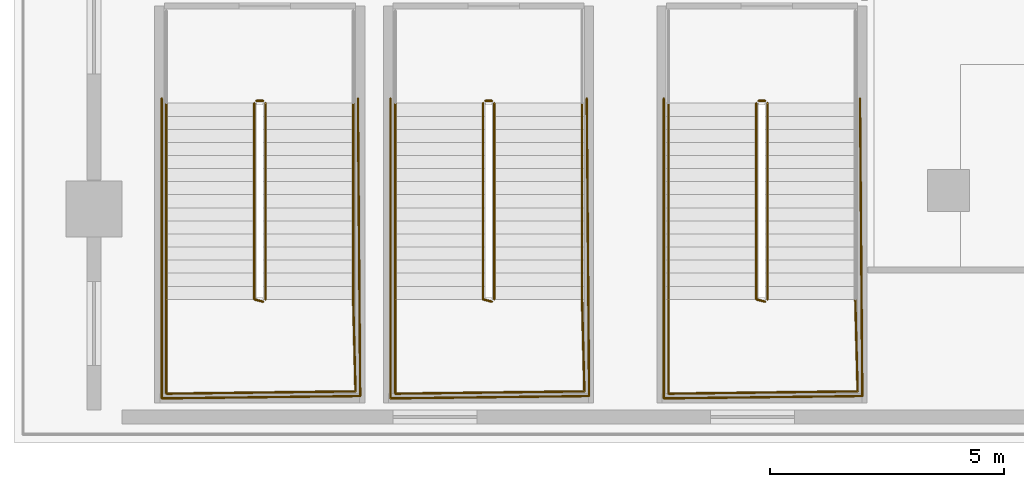
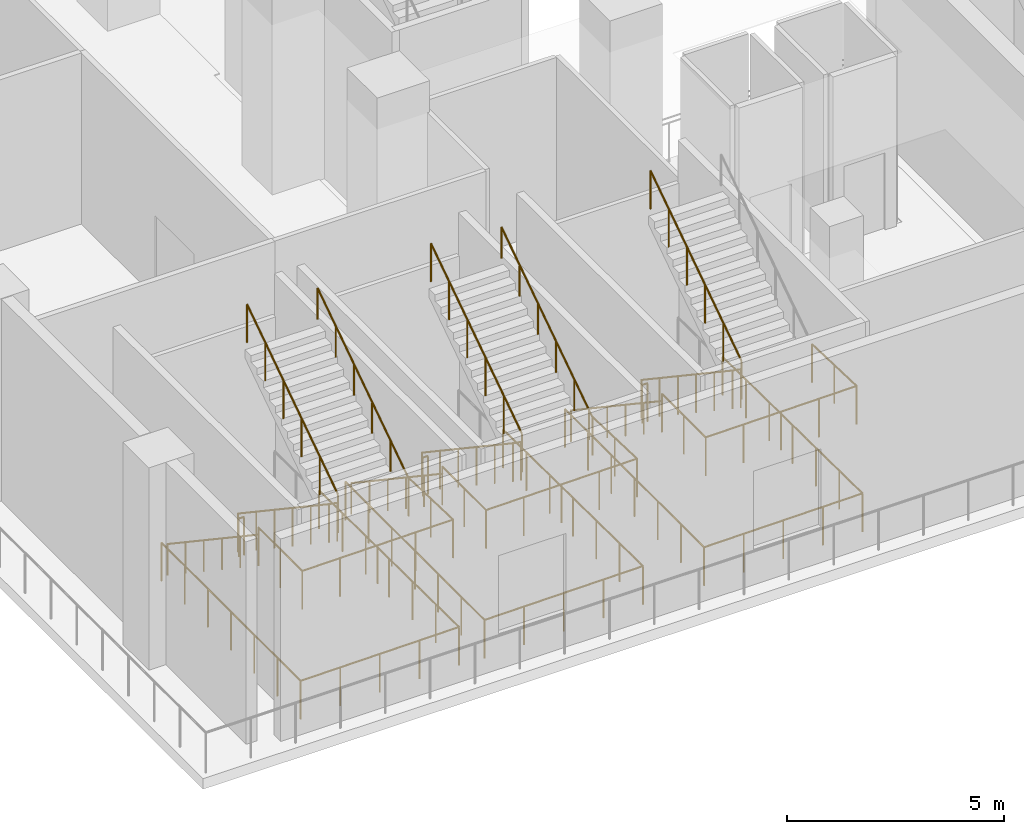
# One storey, part 14 of 30: 20 railings.
"""IFC4 building model written with IfcOpenShell, lengths in metres."""

import ifcopenshell
import ifcopenshell.guid

model = None  # the IFC model being written
_history = None  # IfcOwnerHistory: only IFC2X3 demands one
_inside = {}  # id of a spatial element -> (the spatial element, [elements in it])
_under = {}  # id of a project, library or spatial element -> (it, [spatial elements below it])
_declared = {}  # id of a project -> (the project, [libraries it declares])
_typed = {}  # id of a type object -> (the type object, [elements of that type])
_made_of = {}  # id of a material, layer set ... -> (it, [elements and type objects made of it])


def new_model(schema):
    """Start an empty IFC model of exactly this schema.

    Asked for "IFC4X3", IfcOpenShell would pick the latest addendum, in which some entities
    have other attributes; the version numbers below select the first issue.
    IFC2X3 requires an IfcOwnerHistory on every rooted entity: one is made here for all.
    """
    global model, _history
    if schema == "IFC4X3":
        model = ifcopenshell.file(schema_version=(4, 3, 0, 0))
    else:
        model = ifcopenshell.file(schema=schema)
    _inside.clear()
    _under.clear()
    _declared.clear()
    _typed.clear()
    _made_of.clear()
    _history = None
    if model.schema == "IFC2X3":
        org = make("IfcOrganization", Name="unknown")
        user = make(
            "IfcPersonAndOrganization",
            ThePerson=make("IfcPerson", FamilyName="unknown"),
            TheOrganization=org,
        )
        app = make(
            "IfcApplication",
            ApplicationDeveloper=org,
            Version="unknown",
            ApplicationFullName="unknown",
            ApplicationIdentifier="unknown",
        )
        _history = make(
            "IfcOwnerHistory",
            OwningUser=user,
            OwningApplication=app,
            ChangeAction="ADDED",
            CreationDate=0,
        )
    return model


def make(cls, **values):
    """One entity of the class cls with the attributes given. An attribute that is None is left unset."""
    return model.create_entity(
        cls, **{name: value for name, value in values.items() if value is not None}
    )


def rooted(cls, **values):
    """An entity with a GlobalId (a new one), such as an element, a storey or a relation."""
    return make(cls, GlobalId=ifcopenshell.guid.new(), OwnerHistory=_history, **values)


def si_unit(unit_type, name, prefix=None):
    """IfcSIUnit, for example si_unit("LENGTHUNIT", "METRE", prefix="MILLI")."""
    return make("IfcSIUnit", UnitType=unit_type, Prefix=prefix, Name=name)


def assignment(units):
    """IfcUnitAssignment: the units of a project."""
    return None if units is None else make("IfcUnitAssignment", Units=units)


def point(xyz):
    """IfcCartesianPoint."""
    return None if xyz is None else make("IfcCartesianPoint", Coordinates=xyz)


def direction(xyz):
    """IfcDirection."""
    return None if xyz is None else make("IfcDirection", DirectionRatios=xyz)


def frame(location, z_axis=None, x_axis=None):
    """IfcAxis2Placement3D, a coordinate frame: its origin and axes. An axis left out is left unset."""
    return make(
        "IfcAxis2Placement3D",
        Location=point(location),
        Axis=direction(z_axis),
        RefDirection=direction(x_axis),
    )


def frame_2d(location, x_axis=None):
    """IfcAxis2Placement2D, a coordinate frame in the plane: its origin and x axis."""
    return make(
        "IfcAxis2Placement2D", Location=point(location), RefDirection=direction(x_axis)
    )


def origin():
    """The frame at (0, 0, 0) with its axes left unset."""
    return frame((0.0, 0.0, 0.0))


def origin_2d():
    """The frame at (0, 0) in the plane with its x axis left unset."""
    return frame_2d((0.0, 0.0))


def place(relative_to, where):
    """IfcLocalPlacement: puts the frame where relative to a parent placement (None: the world)."""
    return make(
        "IfcLocalPlacement", PlacementRelTo=relative_to, RelativePlacement=where
    )


def context(
    kind, dimensions, precision=None, world=None, true_north=None, identifier=None
):
    """IfcGeometricRepresentationContext, for example the 3D "Model" context."""
    return make(
        "IfcGeometricRepresentationContext",
        ContextIdentifier=identifier,
        ContextType=kind,
        CoordinateSpaceDimension=dimensions,
        Precision=precision,
        WorldCoordinateSystem=world,
        TrueNorth=true_north,
    )


def subcontext(parent, identifier, kind, view, scale=None):
    """IfcGeometricRepresentationSubContext, for example "Body" below "Model"."""
    return make(
        "IfcGeometricRepresentationSubContext",
        ContextIdentifier=identifier,
        ContextType=kind,
        ParentContext=parent,
        TargetScale=scale,
        TargetView=view,
    )


def project(units=None, contexts=None):
    """IfcProject with its units and contexts."""
    return rooted(
        "IfcProject",
        Name="project",
        RepresentationContexts=contexts,
        UnitsInContext=assignment(units),
    )


def spatial(cls, under=None, at=None, **own):
    """A site, building, storey or space (cls), placed at a placement, below another one or the project."""
    s = rooted(cls, ObjectPlacement=at, **own)
    if under is not None:
        _under.setdefault(under.id(), (under, []))[1].append(s)
    return s


def profile(cls, at=None, kind="AREA", **sizes):
    """A parametric profile (cls). Its sizes go by their IFC names, for example OverallWidth=200.0."""
    return make(cls, ProfileType=kind, Position=at, **sizes)


def circle(**sizes):
    """IfcCircleProfileDef."""
    return profile("IfcCircleProfileDef", **sizes)


def extrude(swept, where, along, depth):
    """IfcExtrudedAreaSolid: the profile swept, set in the frame where, extruded along a direction by depth."""
    return make(
        "IfcExtrudedAreaSolid",
        SweptArea=swept,
        Position=where,
        ExtrudedDirection=direction(along),
        Depth=depth,
    )


def shape(context_of_items, identifier, shape_type, items):
    """IfcShapeRepresentation: the items that make up one representation, for example the "Body"."""
    return make(
        "IfcShapeRepresentation",
        ContextOfItems=context_of_items,
        RepresentationIdentifier=identifier,
        RepresentationType=shape_type,
        Items=items,
    )


def material(Name=None, Category=None):
    """IfcMaterial."""
    return make("IfcMaterial", Name=Name, Category=Category)


def layer(
    of_material, thickness, ventilated=None, Name=None, Category=None, Priority=None
):
    """IfcMaterialLayer: one layer of a wall or slab, of a material (None: an air gap)."""
    return make(
        "IfcMaterialLayer",
        Material=of_material,
        LayerThickness=thickness,
        IsVentilated=ventilated,
        Name=Name,
        Category=Category,
        Priority=Priority,
    )


def layer_set(layers, Name=None):
    """IfcMaterialLayerSet."""
    return make("IfcMaterialLayerSet", MaterialLayers=layers, LayerSetName=Name)


def made_of(thing, what):
    """Note that an element or type object is made of a material, layer set ...; save() writes the relation."""
    if what is not None:
        _made_of.setdefault(what.id(), (what, []))[1].append(thing)
    return thing


def type_object(cls, material=None, **own):
    """A type object (cls), such as IfcWallType, which elements share."""
    return made_of(rooted(cls, **own), material)


def element(
    cls,
    number,
    at=None,
    inside=None,
    cuts=None,
    type_object=None,
    material=None,
    context=None,
    identifier="Body",
    shape_type=None,
    held_by="IfcProductDefinitionShape",
    body=None,
    shapes=None,
    **own,
):
    """One element of the class cls, such as IfcWall. Its Tag is "e" and its number.

    at: its placement. inside: the storey or other place that contains it. cuts: it is an
    opening in that element (IfcRelVoidsElement). A single representation is given by context,
    identifier, shape_type and body (its items); several are given by shapes. held_by: the class
    of the entity that holds the representations. save() writes the other relations.
    """
    e = rooted(cls, Tag="e%d" % number, ObjectPlacement=at, **own)
    if body is not None:
        shapes = [shape(context, identifier, shape_type, body)]
    if shapes is not None:
        e.Representation = make(held_by, Representations=shapes)
    if inside is not None:
        _inside.setdefault(inside.id(), (inside, []))[1].append(e)
    if cuts is not None:
        rooted(
            "IfcRelVoidsElement", RelatingBuildingElement=cuts, RelatedOpeningElement=e
        )
    if type_object is not None:
        _typed.setdefault(type_object.id(), (type_object, []))[1].append(e)
    return made_of(e, material)


def aggregate(whole, parts):
    """IfcRelAggregates: a whole, such as a stair, and the parts it consists of."""
    return rooted("IfcRelAggregates", RelatingObject=whole, RelatedObjects=parts)


def save(model, path):
    """Write the relations noted so far, then the file.

    IfcRelAggregates (storeys below a building ...), IfcRelContainedInSpatialStructure (elements
    in a storey), IfcRelDefinesByType, IfcRelAssociatesMaterial and IfcRelDeclares: one each for
    every whole, place, type object, material and project.
    """
    for whole, parts in _under.values():
        aggregate(whole, parts)
    for where, things in _inside.values():
        rooted(
            "IfcRelContainedInSpatialStructure",
            RelatedElements=things,
            RelatingStructure=where,
        )
    for kind, things in _typed.values():
        rooted("IfcRelDefinesByType", RelatedObjects=things, RelatingType=kind)
    for what, things in _made_of.values():
        rooted("IfcRelAssociatesMaterial", RelatedObjects=things, RelatingMaterial=what)
    for by, libraries in _declared.values():
        rooted("IfcRelDeclares", RelatingContext=by, RelatedDefinitions=libraries)
    model.write(path)


model = new_model("IFC4")

# Units and contexts
model_context = context("Model", 3, precision=1e-05, world=origin(), true_north=direction((0.0, 1.0)))
body_context = subcontext(model_context, "Body", "Model", "MODEL_VIEW")
ifc_project = project(units=[si_unit("LENGTHUNIT", "METRE"), si_unit("AREAUNIT", "SQUARE_METRE"), si_unit("VOLUMEUNIT", "CUBIC_METRE"), si_unit("PLANEANGLEUNIT", "RADIAN"), si_unit("MASSUNIT", "GRAM", prefix="KILO")], contexts=[model_context])

# Site, building, storey
site_placement = place(None, origin())
site = spatial("IfcSite", under=ifc_project, at=site_placement, CompositionType="ELEMENT")
building_placement = place(site_placement, origin())
building = spatial("IfcBuilding", under=site, at=building_placement, Name="Ndaravel Arena Tower", CompositionType="ELEMENT")
storey_placement = place(building_placement, frame((0.0, 0.0, 6.0)))
storey = spatial("IfcBuildingStorey", under=building, at=storey_placement, Name="L01", CompositionType="ELEMENT", Elevation=6.0)

# Railings
ifc_material_1 = material(Name="Steel S355", Category="steel")
ifc_layer_1 = layer(ifc_material_1, 0.06005859375)
ifc_layer_set_1 = layer_set([ifc_layer_1], Name="Steel S355")
railing_type_1 = type_object("IfcRailingType", Name="RAIL-STAIR-GD1100", PredefinedType="GUARDRAIL", material=ifc_layer_set_1)
railing_1_placement = place(storey_placement, frame((5.1298828125, 7.27001953125, 0.1875)))
element("IfcRailing", 1, at=railing_1_placement, inside=storey, type_object=railing_type_1, Name="L01 ST-A01 stair guard 1", PredefinedType="GUARDRAIL", context=body_context, shape_type="SweptSolid", body=[
    extrude(circle(Radius=0.02392578125, at=origin_2d()), frame((0.0, 0.0, 1.076171875), z_axis=(0.0, -0.830904186295, 0.556415522067), x_axis=(1.0, 0.0, 0.0)), (0.0, 0.0, 1.0), 5.0546875),
    extrude(circle(Radius=0.02392578125, at=origin_2d()), frame((0.0, -4.199951171875, 3.888671875), z_axis=(0.967074537263, -0.25449329928, 0.0), x_axis=(0.25449329928, 0.967074537263, 0.0)), (0.0, 0.0, 1.0), 0.19677734375),
    extrude(circle(Radius=0.02099609375, at=origin_2d()), origin(), (0.0, 0.0, 1.0), 1.052001953125),
    extrude(circle(Radius=0.02099609375, at=origin_2d()), frame((0.0, -0.840087890625, 0.5625)), (0.0, 0.0, 1.0), 1.052001953125),
    extrude(circle(Radius=0.02099609375, at=origin_2d()), frame((0.0, -1.679931640625, 1.125)), (0.0, 0.0, 1.0), 1.052001953125),
    extrude(circle(Radius=0.02099609375, at=origin_2d()), frame((0.0, -2.52001953125, 1.6875)), (0.0, 0.0, 1.0), 1.052001953125),
    extrude(circle(Radius=0.02099609375, at=origin_2d()), frame((0.0, -3.35986328125, 2.25)), (0.0, 0.0, 1.0), 1.052001953125),
    extrude(circle(Radius=0.02099609375, at=origin_2d()), frame((0.0, -4.199951171875, 2.8125)), (0.0, 0.0, 1.0), 1.052001953125),
    extrude(circle(Radius=0.02099609375, at=origin_2d()), frame((0.190185546875, -4.25, 2.8125)), (0.0, 0.0, 1.0), 1.052001953125),
])
railing_2_placement = place(storey_placement, frame((3.25, 3.070068359375, 3.0)))
element("IfcRailing", 2, at=railing_2_placement, inside=storey, type_object=railing_type_1, Name="L01 ST-A01 stair guard 2", PredefinedType="GUARDRAIL", context=body_context, shape_type="SweptSolid", body=[
    extrude(circle(Radius=0.02392578125, at=origin_2d()), frame((0.0, 0.0, 1.076171875), z_axis=(0.0, -1.0, 0.0), x_axis=(1.0, 0.0, 0.0)), (0.0, 0.0, 1.0), 2.02001953125),
    extrude(circle(Radius=0.02392578125, at=origin_2d()), frame((0.0, -2.02001953125, 1.076171875), z_axis=(0.999923653774, 0.012356642897, 0.0), x_axis=(-0.012356642897, 0.999923653774, 0.0)), (0.0, 0.0, 1.0), 4.05029296875),
    extrude(circle(Radius=0.02392578125, at=origin_2d()), frame((4.050048828125, -1.969970703125, 1.076171875), z_axis=(-0.025397679083, 0.999677426922, 0.0), x_axis=(-0.999677426922, -0.025397679083, 0.0)), (0.0, 0.0, 1.0), 1.970703125),
    extrude(circle(Radius=0.02099609375, at=origin_2d()), origin(), (0.0, 0.0, 1.0), 1.052001953125),
    extrude(circle(Radius=0.02099609375, at=origin_2d()), frame((0.0, -1.010009765625, 0.0)), (0.0, 0.0, 1.0), 1.052001953125),
    extrude(circle(Radius=0.02099609375, at=origin_2d()), frame((0.0, -2.02001953125, 0.0)), (0.0, 0.0, 1.0), 1.052001953125),
    extrude(circle(Radius=0.02099609375, at=origin_2d()), frame((1.012451171875, -2.007568359375, 0.0)), (0.0, 0.0, 1.0), 1.052001953125),
    extrude(circle(Radius=0.02099609375, at=origin_2d()), frame((2.02490234375, -1.9951171875, 0.0)), (0.0, 0.0, 1.0), 1.052001953125),
    extrude(circle(Radius=0.02099609375, at=origin_2d()), frame((3.03759765625, -1.982421875, 0.0)), (0.0, 0.0, 1.0), 1.052001953125),
    extrude(circle(Radius=0.02099609375, at=origin_2d()), frame((4.050048828125, -1.969970703125, 0.0)), (0.0, 0.0, 1.0), 1.052001953125),
    extrude(circle(Radius=0.02099609375, at=origin_2d()), frame((4.02490234375, -0.98486328125, 0.0)), (0.0, 0.0, 1.0), 1.052001953125),
    extrude(circle(Radius=0.02099609375, at=origin_2d()), frame((4.0, 0.0, 0.0)), (0.0, 0.0, 1.0), 1.052001953125),
])
railing_3_placement = place(storey_placement, frame((5.3701171875, 3.070068359375, 3.1875)))
element("IfcRailing", 3, at=railing_3_placement, inside=storey, type_object=railing_type_1, Name="L01 ST-A01 stair guard 3", PredefinedType="GUARDRAIL", context=body_context, shape_type="SweptSolid", body=[
    extrude(circle(Radius=0.02392578125, at=origin_2d()), frame((0.0, 0.0, 1.076171875), z_axis=(0.0, 0.830904186295, 0.556415522067), x_axis=(-1.0, 0.0, 0.0)), (0.0, 0.0, 1.0), 5.0546875),
    extrude(circle(Radius=0.02099609375, at=origin_2d()), origin(), (0.0, 0.0, 1.0), 1.052001953125),
    extrude(circle(Radius=0.02099609375, at=origin_2d()), frame((0.0, 0.840087890625, 0.5625)), (0.0, 0.0, 1.0), 1.052001953125),
    extrude(circle(Radius=0.02099609375, at=origin_2d()), frame((0.0, 1.679931640625, 1.125)), (0.0, 0.0, 1.0), 1.052001953125),
    extrude(circle(Radius=0.02099609375, at=origin_2d()), frame((0.0, 2.52001953125, 1.6875)), (0.0, 0.0, 1.0), 1.052001953125),
    extrude(circle(Radius=0.02099609375, at=origin_2d()), frame((0.0, 3.35986328125, 2.25)), (0.0, 0.0, 1.0), 1.052001953125),
    extrude(circle(Radius=0.02099609375, at=origin_2d()), frame((0.0, 4.199951171875, 2.8125)), (0.0, 0.0, 1.0), 1.052001953125),
])
railing_4_placement = place(storey_placement, frame((5.179931640625, 7.320068359375, 0.0)))
element("IfcRailing", 4, at=railing_4_placement, inside=storey, type_object=railing_type_1, Name="L01 ST-A01 stair guard 4", PredefinedType="GUARDRAIL", context=body_context, shape_type="SweptSolid", body=[
    extrude(circle(Radius=0.02392578125, at=origin_2d()), frame((0.0, 0.0, 1.076171875), z_axis=(1.0, 0.0, 0.0), x_axis=(0.0, 1.0, 0.0)), (0.0, 0.0, 1.0), 0.14013671875),
    extrude(circle(Radius=0.02099609375, at=origin_2d()), origin(), (0.0, 0.0, 1.0), 1.052001953125),
    extrude(circle(Radius=0.02099609375, at=origin_2d()), frame((0.14013671875, 0.0, 0.0)), (0.0, 0.0, 1.0), 1.052001953125),
])
railing_5_placement = place(storey_placement, frame((3.14990234375, 7.3701171875, 0.0)))
element("IfcRailing", 5, at=railing_5_placement, inside=storey, type_object=railing_type_1, Name="L01 ST-A01 stair guard 7", PredefinedType="GUARDRAIL", context=body_context, shape_type="SweptSolid", body=[
    extrude(circle(Radius=0.02392578125, at=origin_2d()), frame((0.0, 0.0, 1.076171875), z_axis=(0.0, -1.0, 0.0), x_axis=(1.0, 0.0, 0.0)), (0.0, 0.0, 1.0), 6.420166015625),
    extrude(circle(Radius=0.02392578125, at=origin_2d()), frame((0.0, -6.420166015625, 1.076171875), z_axis=(0.999930667828, 0.011775378384, 0.0), x_axis=(-0.011775378384, 0.999930667828, 0.0)), (0.0, 0.0, 1.0), 4.250244140625),
    extrude(circle(Radius=0.02392578125, at=origin_2d()), frame((4.25, -6.3701171875, 1.076171875), z_axis=(-0.007818249469, 0.999969437021, 0.0), x_axis=(-0.999969437021, -0.007818249469, 0.0)), (0.0, 0.0, 1.0), 6.370361328125),
    extrude(circle(Radius=0.02099609375, at=origin_2d()), origin(), (0.0, 0.0, 1.0), 1.052001953125),
    extrude(circle(Radius=0.02099609375, at=origin_2d()), frame((0.0, -1.070068359375, 0.0)), (0.0, 0.0, 1.0), 1.052001953125),
    extrude(circle(Radius=0.02099609375, at=origin_2d()), frame((0.0, -2.14013671875, 0.0)), (0.0, 0.0, 1.0), 1.052001953125),
    extrude(circle(Radius=0.02099609375, at=origin_2d()), frame((0.0, -3.2099609375, 0.0)), (0.0, 0.0, 1.0), 1.052001953125),
    extrude(circle(Radius=0.02099609375, at=origin_2d()), frame((0.0, -4.280029296875, 0.0)), (0.0, 0.0, 1.0), 1.052001953125),
    extrude(circle(Radius=0.02099609375, at=origin_2d()), frame((0.0, -5.35009765625, 0.0)), (0.0, 0.0, 1.0), 1.052001953125),
    extrude(circle(Radius=0.02099609375, at=origin_2d()), frame((0.0, -6.420166015625, 0.0)), (0.0, 0.0, 1.0), 1.052001953125),
    extrude(circle(Radius=0.02099609375, at=origin_2d()), frame((1.0625, -6.40771484375, 0.0)), (0.0, 0.0, 1.0), 1.052001953125),
    extrude(circle(Radius=0.02099609375, at=origin_2d()), frame((2.125, -6.39501953125, 0.0)), (0.0, 0.0, 1.0), 1.052001953125),
    extrude(circle(Radius=0.02099609375, at=origin_2d()), frame((3.1875, -6.382568359375, 0.0)), (0.0, 0.0, 1.0), 1.052001953125),
    extrude(circle(Radius=0.02099609375, at=origin_2d()), frame((4.25, -6.3701171875, 0.0)), (0.0, 0.0, 1.0), 1.052001953125),
    extrude(circle(Radius=0.02099609375, at=origin_2d()), frame((4.24169921875, -5.308349609375, 0.0)), (0.0, 0.0, 1.0), 1.052001953125),
    extrude(circle(Radius=0.02099609375, at=origin_2d()), frame((4.2333984375, -4.246826171875, 0.0)), (0.0, 0.0, 1.0), 1.052001953125),
    extrude(circle(Radius=0.02099609375, at=origin_2d()), frame((4.22509765625, -3.18505859375, 0.0)), (0.0, 0.0, 1.0), 1.052001953125),
    extrude(circle(Radius=0.02099609375, at=origin_2d()), frame((4.216796875, -2.123291015625, 0.0)), (0.0, 0.0, 1.0), 1.052001953125),
    extrude(circle(Radius=0.02099609375, at=origin_2d()), frame((4.20849609375, -1.061767578125, 0.0)), (0.0, 0.0, 1.0), 1.052001953125),
    extrude(circle(Radius=0.02099609375, at=origin_2d()), frame((4.2001953125, 0.0, 0.0)), (0.0, 0.0, 1.0), 1.052001953125),
])
railing_6_placement = place(storey_placement, frame((10.030029296875, 7.27001953125, 0.1875)))
element("IfcRailing", 6, at=railing_6_placement, inside=storey, type_object=railing_type_1, Name="L01 ST-A02 stair guard 1", PredefinedType="GUARDRAIL", context=body_context, shape_type="SweptSolid", body=[
    extrude(circle(Radius=0.02392578125, at=origin_2d()), frame((0.0, 0.0, 1.076171875), z_axis=(0.0, -0.830904186295, 0.556415522067), x_axis=(1.0, 0.0, 0.0)), (0.0, 0.0, 1.0), 5.0546875),
    extrude(circle(Radius=0.02392578125, at=origin_2d()), frame((0.0, -4.199951171875, 3.888671875), z_axis=(0.966993988697, -0.254799187253, 0.0), x_axis=(0.254799187253, 0.966993988697, 0.0)), (0.0, 0.0, 1.0), 0.196533203125),
    extrude(circle(Radius=0.02099609375, at=origin_2d()), origin(), (0.0, 0.0, 1.0), 1.052001953125),
    extrude(circle(Radius=0.02099609375, at=origin_2d()), frame((0.0, -0.840087890625, 0.5625)), (0.0, 0.0, 1.0), 1.052001953125),
    extrude(circle(Radius=0.02099609375, at=origin_2d()), frame((0.0, -1.679931640625, 1.125)), (0.0, 0.0, 1.0), 1.052001953125),
    extrude(circle(Radius=0.02099609375, at=origin_2d()), frame((0.0, -2.52001953125, 1.6875)), (0.0, 0.0, 1.0), 1.052001953125),
    extrude(circle(Radius=0.02099609375, at=origin_2d()), frame((0.0, -3.35986328125, 2.25)), (0.0, 0.0, 1.0), 1.052001953125),
    extrude(circle(Radius=0.02099609375, at=origin_2d()), frame((0.0, -4.199951171875, 2.8125)), (0.0, 0.0, 1.0), 1.052001953125),
    extrude(circle(Radius=0.02099609375, at=origin_2d()), frame((0.18994140625, -4.25, 2.8125)), (0.0, 0.0, 1.0), 1.052001953125),
])
railing_7_placement = place(storey_placement, frame((8.14990234375, 3.070068359375, 3.0)))
element("IfcRailing", 7, at=railing_7_placement, inside=storey, type_object=railing_type_1, Name="L01 ST-A02 stair guard 2", PredefinedType="GUARDRAIL", context=body_context, shape_type="SweptSolid", body=[
    extrude(circle(Radius=0.02392578125, at=origin_2d()), frame((0.0, 0.0, 1.076171875), z_axis=(0.0, -1.0, 0.0), x_axis=(1.0, 0.0, 0.0)), (0.0, 0.0, 1.0), 2.02001953125),
    extrude(circle(Radius=0.02392578125, at=origin_2d()), frame((0.0, -2.02001953125, 1.076171875), z_axis=(0.999923653774, 0.012356642897, 0.0), x_axis=(-0.012356642897, 0.999923653774, 0.0)), (0.0, 0.0, 1.0), 4.05029296875),
    extrude(circle(Radius=0.02392578125, at=origin_2d()), frame((4.050048828125, -1.969970703125, 1.076171875), z_axis=(-0.025397679083, 0.999677426922, 0.0), x_axis=(-0.999677426922, -0.025397679083, 0.0)), (0.0, 0.0, 1.0), 1.970703125),
    extrude(circle(Radius=0.02099609375, at=origin_2d()), origin(), (0.0, 0.0, 1.0), 1.052001953125),
    extrude(circle(Radius=0.02099609375, at=origin_2d()), frame((0.0, -1.010009765625, 0.0)), (0.0, 0.0, 1.0), 1.052001953125),
    extrude(circle(Radius=0.02099609375, at=origin_2d()), frame((0.0, -2.02001953125, 0.0)), (0.0, 0.0, 1.0), 1.052001953125),
    extrude(circle(Radius=0.02099609375, at=origin_2d()), frame((1.012451171875, -2.007568359375, 0.0)), (0.0, 0.0, 1.0), 1.052001953125),
    extrude(circle(Radius=0.02099609375, at=origin_2d()), frame((2.02490234375, -1.9951171875, 0.0)), (0.0, 0.0, 1.0), 1.052001953125),
    extrude(circle(Radius=0.02099609375, at=origin_2d()), frame((3.03759765625, -1.982421875, 0.0)), (0.0, 0.0, 1.0), 1.052001953125),
    extrude(circle(Radius=0.02099609375, at=origin_2d()), frame((4.050048828125, -1.969970703125, 0.0)), (0.0, 0.0, 1.0), 1.052001953125),
    extrude(circle(Radius=0.02099609375, at=origin_2d()), frame((4.02490234375, -0.98486328125, 0.0)), (0.0, 0.0, 1.0), 1.052001953125),
    extrude(circle(Radius=0.02099609375, at=origin_2d()), frame((4.0, 0.0, 0.0)), (0.0, 0.0, 1.0), 1.052001953125),
])
railing_8_placement = place(storey_placement, frame((10.27001953125, 3.070068359375, 3.1875)))
element("IfcRailing", 8, at=railing_8_placement, inside=storey, type_object=railing_type_1, Name="L01 ST-A02 stair guard 3", PredefinedType="GUARDRAIL", context=body_context, shape_type="SweptSolid", body=[
    extrude(circle(Radius=0.02392578125, at=origin_2d()), frame((0.0, 0.0, 1.076171875), z_axis=(0.0, 0.830904186295, 0.556415522067), x_axis=(-1.0, 0.0, 0.0)), (0.0, 0.0, 1.0), 5.0546875),
    extrude(circle(Radius=0.02099609375, at=origin_2d()), origin(), (0.0, 0.0, 1.0), 1.052001953125),
    extrude(circle(Radius=0.02099609375, at=origin_2d()), frame((0.0, 0.840087890625, 0.5625)), (0.0, 0.0, 1.0), 1.052001953125),
    extrude(circle(Radius=0.02099609375, at=origin_2d()), frame((0.0, 1.679931640625, 1.125)), (0.0, 0.0, 1.0), 1.052001953125),
    extrude(circle(Radius=0.02099609375, at=origin_2d()), frame((0.0, 2.52001953125, 1.6875)), (0.0, 0.0, 1.0), 1.052001953125),
    extrude(circle(Radius=0.02099609375, at=origin_2d()), frame((0.0, 3.35986328125, 2.25)), (0.0, 0.0, 1.0), 1.052001953125),
    extrude(circle(Radius=0.02099609375, at=origin_2d()), frame((0.0, 4.199951171875, 2.8125)), (0.0, 0.0, 1.0), 1.052001953125),
])
railing_9_placement = place(storey_placement, frame((10.080078125, 7.320068359375, 0.0)))
element("IfcRailing", 9, at=railing_9_placement, inside=storey, type_object=railing_type_1, Name="L01 ST-A02 stair guard 4", PredefinedType="GUARDRAIL", context=body_context, shape_type="SweptSolid", body=[
    extrude(circle(Radius=0.02392578125, at=origin_2d()), frame((0.0, 0.0, 1.076171875), z_axis=(1.0, 0.0, 0.0), x_axis=(0.0, 1.0, 0.0)), (0.0, 0.0, 1.0), 0.139892578125),
    extrude(circle(Radius=0.02099609375, at=origin_2d()), origin(), (0.0, 0.0, 1.0), 1.052001953125),
    extrude(circle(Radius=0.02099609375, at=origin_2d()), frame((0.139892578125, 0.0, 0.0)), (0.0, 0.0, 1.0), 1.052001953125),
])
railing_10_placement = place(storey_placement, frame((8.050048828125, 7.3701171875, 0.0)))
element("IfcRailing", 10, at=railing_10_placement, inside=storey, type_object=railing_type_1, Name="L01 ST-A02 stair guard 7", PredefinedType="GUARDRAIL", context=body_context, shape_type="SweptSolid", body=[
    extrude(circle(Radius=0.02392578125, at=origin_2d()), frame((0.0, 0.0, 1.076171875), z_axis=(0.0, -1.0, 0.0), x_axis=(1.0, 0.0, 0.0)), (0.0, 0.0, 1.0), 6.420166015625),
    extrude(circle(Radius=0.02392578125, at=origin_2d()), frame((0.0, -6.420166015625, 1.076171875), z_axis=(0.999930667828, 0.011775378384, 0.0), x_axis=(-0.011775378384, 0.999930667828, 0.0)), (0.0, 0.0, 1.0), 4.250244140625),
    extrude(circle(Radius=0.02392578125, at=origin_2d()), frame((4.25, -6.3701171875, 1.076171875), z_axis=(-0.007856571862, 0.999969136663, 0.0), x_axis=(-0.999969136663, -0.007856571862, 0.0)), (0.0, 0.0, 1.0), 6.370361328125),
    extrude(circle(Radius=0.02099609375, at=origin_2d()), origin(), (0.0, 0.0, 1.0), 1.052001953125),
    extrude(circle(Radius=0.02099609375, at=origin_2d()), frame((0.0, -1.070068359375, 0.0)), (0.0, 0.0, 1.0), 1.052001953125),
    extrude(circle(Radius=0.02099609375, at=origin_2d()), frame((0.0, -2.14013671875, 0.0)), (0.0, 0.0, 1.0), 1.052001953125),
    extrude(circle(Radius=0.02099609375, at=origin_2d()), frame((0.0, -3.2099609375, 0.0)), (0.0, 0.0, 1.0), 1.052001953125),
    extrude(circle(Radius=0.02099609375, at=origin_2d()), frame((0.0, -4.280029296875, 0.0)), (0.0, 0.0, 1.0), 1.052001953125),
    extrude(circle(Radius=0.02099609375, at=origin_2d()), frame((0.0, -5.35009765625, 0.0)), (0.0, 0.0, 1.0), 1.052001953125),
    extrude(circle(Radius=0.02099609375, at=origin_2d()), frame((0.0, -6.420166015625, 0.0)), (0.0, 0.0, 1.0), 1.052001953125),
    extrude(circle(Radius=0.02099609375, at=origin_2d()), frame((1.0625, -6.40771484375, 0.0)), (0.0, 0.0, 1.0), 1.052001953125),
    extrude(circle(Radius=0.02099609375, at=origin_2d()), frame((2.125, -6.39501953125, 0.0)), (0.0, 0.0, 1.0), 1.052001953125),
    extrude(circle(Radius=0.02099609375, at=origin_2d()), frame((3.1875, -6.382568359375, 0.0)), (0.0, 0.0, 1.0), 1.052001953125),
    extrude(circle(Radius=0.02099609375, at=origin_2d()), frame((4.25, -6.3701171875, 0.0)), (0.0, 0.0, 1.0), 1.052001953125),
    extrude(circle(Radius=0.02099609375, at=origin_2d()), frame((4.24169921875, -5.308349609375, 0.0)), (0.0, 0.0, 1.0), 1.052001953125),
    extrude(circle(Radius=0.02099609375, at=origin_2d()), frame((4.2333984375, -4.246826171875, 0.0)), (0.0, 0.0, 1.0), 1.052001953125),
    extrude(circle(Radius=0.02099609375, at=origin_2d()), frame((4.22509765625, -3.18505859375, 0.0)), (0.0, 0.0, 1.0), 1.052001953125),
    extrude(circle(Radius=0.02099609375, at=origin_2d()), frame((4.216552734375, -2.123291015625, 0.0)), (0.0, 0.0, 1.0), 1.052001953125),
    extrude(circle(Radius=0.02099609375, at=origin_2d()), frame((4.208251953125, -1.061767578125, 0.0)), (0.0, 0.0, 1.0), 1.052001953125),
    extrude(circle(Radius=0.02099609375, at=origin_2d()), frame((4.199951171875, 0.0, 0.0)), (0.0, 0.0, 1.0), 1.052001953125),
])
railing_11_placement = place(storey_placement, frame((15.8798828125, 7.27001953125, 0.1875)))
element("IfcRailing", 11, at=railing_11_placement, inside=storey, type_object=railing_type_1, Name="L01 ST-A03 stair guard 1", PredefinedType="GUARDRAIL", context=body_context, shape_type="SweptSolid", body=[
    extrude(circle(Radius=0.02392578125, at=origin_2d()), frame((0.0, 0.0, 1.076171875), z_axis=(0.0, -0.830904186295, 0.556415522067), x_axis=(1.0, 0.0, 0.0)), (0.0, 0.0, 1.0), 5.0546875),
    extrude(circle(Radius=0.02392578125, at=origin_2d()), frame((0.0, -4.199951171875, 3.888671875), z_axis=(0.967074537263, -0.25449329928, 0.0), x_axis=(0.25449329928, 0.967074537263, 0.0)), (0.0, 0.0, 1.0), 0.19677734375),
    extrude(circle(Radius=0.02099609375, at=origin_2d()), origin(), (0.0, 0.0, 1.0), 1.052001953125),
    extrude(circle(Radius=0.02099609375, at=origin_2d()), frame((0.0, -0.840087890625, 0.5625)), (0.0, 0.0, 1.0), 1.052001953125),
    extrude(circle(Radius=0.02099609375, at=origin_2d()), frame((0.0, -1.679931640625, 1.125)), (0.0, 0.0, 1.0), 1.052001953125),
    extrude(circle(Radius=0.02099609375, at=origin_2d()), frame((0.0, -2.52001953125, 1.6875)), (0.0, 0.0, 1.0), 1.052001953125),
    extrude(circle(Radius=0.02099609375, at=origin_2d()), frame((0.0, -3.35986328125, 2.25)), (0.0, 0.0, 1.0), 1.052001953125),
    extrude(circle(Radius=0.02099609375, at=origin_2d()), frame((0.0, -4.199951171875, 2.8125)), (0.0, 0.0, 1.0), 1.052001953125),
    extrude(circle(Radius=0.02099609375, at=origin_2d()), frame((0.190185546875, -4.25, 2.8125)), (0.0, 0.0, 1.0), 1.052001953125),
])
railing_12_placement = place(storey_placement, frame((14.0, 3.070068359375, 3.0)))
element("IfcRailing", 12, at=railing_12_placement, inside=storey, type_object=railing_type_1, Name="L01 ST-A03 stair guard 2", PredefinedType="GUARDRAIL", context=body_context, shape_type="SweptSolid", body=[
    extrude(circle(Radius=0.02392578125, at=origin_2d()), frame((0.0, 0.0, 1.076171875), z_axis=(0.0, -1.0, 0.0), x_axis=(1.0, 0.0, 0.0)), (0.0, 0.0, 1.0), 2.02001953125),
    extrude(circle(Radius=0.02392578125, at=origin_2d()), frame((0.0, -2.02001953125, 1.076171875), z_axis=(0.999923653774, 0.012356642897, 0.0), x_axis=(-0.012356642897, 0.999923653774, 0.0)), (0.0, 0.0, 1.0), 4.05029296875),
    extrude(circle(Radius=0.02392578125, at=origin_2d()), frame((4.050048828125, -1.969970703125, 1.076171875), z_axis=(-0.025397679083, 0.999677426922, 0.0), x_axis=(-0.999677426922, -0.025397679083, 0.0)), (0.0, 0.0, 1.0), 1.970703125),
    extrude(circle(Radius=0.02099609375, at=origin_2d()), origin(), (0.0, 0.0, 1.0), 1.052001953125),
    extrude(circle(Radius=0.02099609375, at=origin_2d()), frame((0.0, -1.010009765625, 0.0)), (0.0, 0.0, 1.0), 1.052001953125),
    extrude(circle(Radius=0.02099609375, at=origin_2d()), frame((0.0, -2.02001953125, 0.0)), (0.0, 0.0, 1.0), 1.052001953125),
    extrude(circle(Radius=0.02099609375, at=origin_2d()), frame((1.012451171875, -2.007568359375, 0.0)), (0.0, 0.0, 1.0), 1.052001953125),
    extrude(circle(Radius=0.02099609375, at=origin_2d()), frame((2.02490234375, -1.9951171875, 0.0)), (0.0, 0.0, 1.0), 1.052001953125),
    extrude(circle(Radius=0.02099609375, at=origin_2d()), frame((3.03759765625, -1.982421875, 0.0)), (0.0, 0.0, 1.0), 1.052001953125),
    extrude(circle(Radius=0.02099609375, at=origin_2d()), frame((4.050048828125, -1.969970703125, 0.0)), (0.0, 0.0, 1.0), 1.052001953125),
    extrude(circle(Radius=0.02099609375, at=origin_2d()), frame((4.02490234375, -0.98486328125, 0.0)), (0.0, 0.0, 1.0), 1.052001953125),
    extrude(circle(Radius=0.02099609375, at=origin_2d()), frame((4.0, 0.0, 0.0)), (0.0, 0.0, 1.0), 1.052001953125),
])
railing_13_placement = place(storey_placement, frame((16.1201171875, 3.070068359375, 3.1875)))
element("IfcRailing", 13, at=railing_13_placement, inside=storey, type_object=railing_type_1, Name="L01 ST-A03 stair guard 3", PredefinedType="GUARDRAIL", context=body_context, shape_type="SweptSolid", body=[
    extrude(circle(Radius=0.02392578125, at=origin_2d()), frame((0.0, 0.0, 1.076171875), z_axis=(0.0, 0.830904186295, 0.556415522067), x_axis=(-1.0, 0.0, 0.0)), (0.0, 0.0, 1.0), 5.0546875),
    extrude(circle(Radius=0.02099609375, at=origin_2d()), origin(), (0.0, 0.0, 1.0), 1.052001953125),
    extrude(circle(Radius=0.02099609375, at=origin_2d()), frame((0.0, 0.840087890625, 0.5625)), (0.0, 0.0, 1.0), 1.052001953125),
    extrude(circle(Radius=0.02099609375, at=origin_2d()), frame((0.0, 1.679931640625, 1.125)), (0.0, 0.0, 1.0), 1.052001953125),
    extrude(circle(Radius=0.02099609375, at=origin_2d()), frame((0.0, 2.52001953125, 1.6875)), (0.0, 0.0, 1.0), 1.052001953125),
    extrude(circle(Radius=0.02099609375, at=origin_2d()), frame((0.0, 3.35986328125, 2.25)), (0.0, 0.0, 1.0), 1.052001953125),
    extrude(circle(Radius=0.02099609375, at=origin_2d()), frame((0.0, 4.199951171875, 2.8125)), (0.0, 0.0, 1.0), 1.052001953125),
])
railing_14_placement = place(storey_placement, frame((15.929931640625, 7.320068359375, 0.0)))
element("IfcRailing", 14, at=railing_14_placement, inside=storey, type_object=railing_type_1, Name="L01 ST-A03 stair guard 4", PredefinedType="GUARDRAIL", context=body_context, shape_type="SweptSolid", body=[
    extrude(circle(Radius=0.02392578125, at=origin_2d()), frame((0.0, 0.0, 1.076171875), z_axis=(1.0, 0.0, 0.0), x_axis=(0.0, 1.0, 0.0)), (0.0, 0.0, 1.0), 0.14013671875),
    extrude(circle(Radius=0.02099609375, at=origin_2d()), origin(), (0.0, 0.0, 1.0), 1.052001953125),
    extrude(circle(Radius=0.02099609375, at=origin_2d()), frame((0.14013671875, 0.0, 0.0)), (0.0, 0.0, 1.0), 1.052001953125),
])
railing_15_placement = place(storey_placement, frame((13.89990234375, 7.3701171875, 0.0)))
element("IfcRailing", 15, at=railing_15_placement, inside=storey, type_object=railing_type_1, Name="L01 ST-A03 stair guard 7", PredefinedType="GUARDRAIL", context=body_context, shape_type="SweptSolid", body=[
    extrude(circle(Radius=0.02392578125, at=origin_2d()), frame((0.0, 0.0, 1.076171875), z_axis=(0.0, -1.0, 0.0), x_axis=(1.0, 0.0, 0.0)), (0.0, 0.0, 1.0), 6.420166015625),
    extrude(circle(Radius=0.02392578125, at=origin_2d()), frame((0.0, -6.420166015625, 1.076171875), z_axis=(0.999930667828, 0.011775378384, 0.0), x_axis=(-0.011775378384, 0.999930667828, 0.0)), (0.0, 0.0, 1.0), 4.250244140625),
    extrude(circle(Radius=0.02392578125, at=origin_2d()), frame((4.25, -6.3701171875, 1.076171875), z_axis=(-0.007818249469, 0.999969437021, 0.0), x_axis=(-0.999969437021, -0.007818249469, 0.0)), (0.0, 0.0, 1.0), 6.370361328125),
    extrude(circle(Radius=0.02099609375, at=origin_2d()), origin(), (0.0, 0.0, 1.0), 1.052001953125),
    extrude(circle(Radius=0.02099609375, at=origin_2d()), frame((0.0, -1.070068359375, 0.0)), (0.0, 0.0, 1.0), 1.052001953125),
    extrude(circle(Radius=0.02099609375, at=origin_2d()), frame((0.0, -2.14013671875, 0.0)), (0.0, 0.0, 1.0), 1.052001953125),
    extrude(circle(Radius=0.02099609375, at=origin_2d()), frame((0.0, -3.2099609375, 0.0)), (0.0, 0.0, 1.0), 1.052001953125),
    extrude(circle(Radius=0.02099609375, at=origin_2d()), frame((0.0, -4.280029296875, 0.0)), (0.0, 0.0, 1.0), 1.052001953125),
    extrude(circle(Radius=0.02099609375, at=origin_2d()), frame((0.0, -5.35009765625, 0.0)), (0.0, 0.0, 1.0), 1.052001953125),
    extrude(circle(Radius=0.02099609375, at=origin_2d()), frame((0.0, -6.420166015625, 0.0)), (0.0, 0.0, 1.0), 1.052001953125),
    extrude(circle(Radius=0.02099609375, at=origin_2d()), frame((1.0625, -6.40771484375, 0.0)), (0.0, 0.0, 1.0), 1.052001953125),
    extrude(circle(Radius=0.02099609375, at=origin_2d()), frame((2.125, -6.39501953125, 0.0)), (0.0, 0.0, 1.0), 1.052001953125),
    extrude(circle(Radius=0.02099609375, at=origin_2d()), frame((3.1875, -6.382568359375, 0.0)), (0.0, 0.0, 1.0), 1.052001953125),
    extrude(circle(Radius=0.02099609375, at=origin_2d()), frame((4.25, -6.3701171875, 0.0)), (0.0, 0.0, 1.0), 1.052001953125),
    extrude(circle(Radius=0.02099609375, at=origin_2d()), frame((4.24169921875, -5.308349609375, 0.0)), (0.0, 0.0, 1.0), 1.052001953125),
    extrude(circle(Radius=0.02099609375, at=origin_2d()), frame((4.2333984375, -4.246826171875, 0.0)), (0.0, 0.0, 1.0), 1.052001953125),
    extrude(circle(Radius=0.02099609375, at=origin_2d()), frame((4.22509765625, -3.18505859375, 0.0)), (0.0, 0.0, 1.0), 1.052001953125),
    extrude(circle(Radius=0.02099609375, at=origin_2d()), frame((4.216796875, -2.123291015625, 0.0)), (0.0, 0.0, 1.0), 1.052001953125),
    extrude(circle(Radius=0.02099609375, at=origin_2d()), frame((4.20849609375, -1.061767578125, 0.0)), (0.0, 0.0, 1.0), 1.052001953125),
    extrude(circle(Radius=0.02099609375, at=origin_2d()), frame((4.2001953125, 0.0, 0.0)), (0.0, 0.0, 1.0), 1.052001953125),
])
ifc_material_2 = material(Name="Steel S355", Category="steel")
ifc_layer_2 = layer(ifc_material_2, 0.050048828125)
ifc_layer_set_2 = layer_set([ifc_layer_2], Name="Steel S355")
railing_type_2 = type_object("IfcRailingType", Name="RAIL-STAIR-HR920", PredefinedType="HANDRAIL", material=ifc_layer_set_2)
railing_16_placement = place(storey_placement, frame((3.25, 7.27001953125, 0.1875)))
element("IfcRailing", 16, at=railing_16_placement, inside=storey, type_object=railing_type_2, Name="L01 ST-A01 stair handrail 1", PredefinedType="HANDRAIL", context=body_context, shape_type="SweptSolid", body=[
    extrude(circle(Radius=0.02392578125, at=origin_2d()), frame((0.0, 0.0, 0.8759765625), z_axis=(0.0, -0.830904186295, 0.556415522067), x_axis=(1.0, 0.0, 0.0)), (0.0, 0.0, 1.0), 5.0546875),
    extrude(circle(Radius=0.02099609375, at=origin_2d()), origin(), (0.0, 0.0, 1.0), 0.851806640625),
    extrude(circle(Radius=0.02099609375, at=origin_2d()), frame((0.0, -0.840087890625, 0.5625)), (0.0, 0.0, 1.0), 0.851806640625),
    extrude(circle(Radius=0.02099609375, at=origin_2d()), frame((0.0, -1.679931640625, 1.125)), (0.0, 0.0, 1.0), 0.851806640625),
    extrude(circle(Radius=0.02099609375, at=origin_2d()), frame((0.0, -2.52001953125, 1.6875)), (0.0, 0.0, 1.0), 0.851806640625),
    extrude(circle(Radius=0.02099609375, at=origin_2d()), frame((0.0, -3.35986328125, 2.25)), (0.0, 0.0, 1.0), 0.851806640625),
    extrude(circle(Radius=0.02099609375, at=origin_2d()), frame((0.0, -4.199951171875, 2.8125)), (0.0, 0.0, 1.0), 0.851806640625),
])
railing_17_placement = place(storey_placement, frame((7.25, 3.070068359375, 3.1875)))
element("IfcRailing", 17, at=railing_17_placement, inside=storey, type_object=railing_type_2, Name="L01 ST-A01 stair handrail 2", PredefinedType="HANDRAIL", context=body_context, shape_type="SweptSolid", body=[
    extrude(circle(Radius=0.02392578125, at=origin_2d()), frame((0.0, 0.0, 0.8759765625), z_axis=(0.0, 0.830904186295, 0.556415522067), x_axis=(-1.0, 0.0, 0.0)), (0.0, 0.0, 1.0), 5.0546875),
    extrude(circle(Radius=0.02099609375, at=origin_2d()), origin(), (0.0, 0.0, 1.0), 0.851806640625),
    extrude(circle(Radius=0.02099609375, at=origin_2d()), frame((0.0, 0.840087890625, 0.5625)), (0.0, 0.0, 1.0), 0.851806640625),
    extrude(circle(Radius=0.02099609375, at=origin_2d()), frame((0.0, 1.679931640625, 1.125)), (0.0, 0.0, 1.0), 0.851806640625),
    extrude(circle(Radius=0.02099609375, at=origin_2d()), frame((0.0, 2.52001953125, 1.6875)), (0.0, 0.0, 1.0), 0.851806640625),
    extrude(circle(Radius=0.02099609375, at=origin_2d()), frame((0.0, 3.35986328125, 2.25)), (0.0, 0.0, 1.0), 0.851806640625),
    extrude(circle(Radius=0.02099609375, at=origin_2d()), frame((0.0, 4.199951171875, 2.8125)), (0.0, 0.0, 1.0), 0.851806640625),
])
railing_18_placement = place(storey_placement, frame((8.14990234375, 7.27001953125, 0.1875)))
element("IfcRailing", 18, at=railing_18_placement, inside=storey, type_object=railing_type_2, Name="L01 ST-A02 stair handrail 1", PredefinedType="HANDRAIL", context=body_context, shape_type="SweptSolid", body=[
    extrude(circle(Radius=0.02392578125, at=origin_2d()), frame((0.0, 0.0, 0.8759765625), z_axis=(0.0, -0.830904186295, 0.556415522067), x_axis=(1.0, 0.0, 0.0)), (0.0, 0.0, 1.0), 5.0546875),
    extrude(circle(Radius=0.02099609375, at=origin_2d()), origin(), (0.0, 0.0, 1.0), 0.851806640625),
    extrude(circle(Radius=0.02099609375, at=origin_2d()), frame((0.0, -0.840087890625, 0.5625)), (0.0, 0.0, 1.0), 0.851806640625),
    extrude(circle(Radius=0.02099609375, at=origin_2d()), frame((0.0, -1.679931640625, 1.125)), (0.0, 0.0, 1.0), 0.851806640625),
    extrude(circle(Radius=0.02099609375, at=origin_2d()), frame((0.0, -2.52001953125, 1.6875)), (0.0, 0.0, 1.0), 0.851806640625),
    extrude(circle(Radius=0.02099609375, at=origin_2d()), frame((0.0, -3.35986328125, 2.25)), (0.0, 0.0, 1.0), 0.851806640625),
    extrude(circle(Radius=0.02099609375, at=origin_2d()), frame((0.0, -4.199951171875, 2.8125)), (0.0, 0.0, 1.0), 0.851806640625),
])
railing_19_placement = place(storey_placement, frame((12.14990234375, 3.070068359375, 3.1875)))
element("IfcRailing", 19, at=railing_19_placement, inside=storey, type_object=railing_type_2, Name="L01 ST-A02 stair handrail 2", PredefinedType="HANDRAIL", context=body_context, shape_type="SweptSolid", body=[
    extrude(circle(Radius=0.02392578125, at=origin_2d()), frame((0.0, 0.0, 0.8759765625), z_axis=(0.0, 0.830904186295, 0.556415522067), x_axis=(-1.0, 0.0, 0.0)), (0.0, 0.0, 1.0), 5.0546875),
    extrude(circle(Radius=0.02099609375, at=origin_2d()), origin(), (0.0, 0.0, 1.0), 0.851806640625),
    extrude(circle(Radius=0.02099609375, at=origin_2d()), frame((0.0, 0.840087890625, 0.5625)), (0.0, 0.0, 1.0), 0.851806640625),
    extrude(circle(Radius=0.02099609375, at=origin_2d()), frame((0.0, 1.679931640625, 1.125)), (0.0, 0.0, 1.0), 0.851806640625),
    extrude(circle(Radius=0.02099609375, at=origin_2d()), frame((0.0, 2.52001953125, 1.6875)), (0.0, 0.0, 1.0), 0.851806640625),
    extrude(circle(Radius=0.02099609375, at=origin_2d()), frame((0.0, 3.35986328125, 2.25)), (0.0, 0.0, 1.0), 0.851806640625),
    extrude(circle(Radius=0.02099609375, at=origin_2d()), frame((0.0, 4.199951171875, 2.8125)), (0.0, 0.0, 1.0), 0.851806640625),
])
railing_20_placement = place(storey_placement, frame((14.0, 7.27001953125, 0.1875)))
element("IfcRailing", 20, at=railing_20_placement, inside=storey, type_object=railing_type_2, Name="L01 ST-A03 stair handrail 1", PredefinedType="HANDRAIL", context=body_context, shape_type="SweptSolid", body=[
    extrude(circle(Radius=0.02392578125, at=origin_2d()), frame((0.0, 0.0, 0.8759765625), z_axis=(0.0, -0.830904186295, 0.556415522067), x_axis=(1.0, 0.0, 0.0)), (0.0, 0.0, 1.0), 5.0546875),
    extrude(circle(Radius=0.02099609375, at=origin_2d()), origin(), (0.0, 0.0, 1.0), 0.851806640625),
    extrude(circle(Radius=0.02099609375, at=origin_2d()), frame((0.0, -0.840087890625, 0.5625)), (0.0, 0.0, 1.0), 0.851806640625),
    extrude(circle(Radius=0.02099609375, at=origin_2d()), frame((0.0, -1.679931640625, 1.125)), (0.0, 0.0, 1.0), 0.851806640625),
    extrude(circle(Radius=0.02099609375, at=origin_2d()), frame((0.0, -2.52001953125, 1.6875)), (0.0, 0.0, 1.0), 0.851806640625),
    extrude(circle(Radius=0.02099609375, at=origin_2d()), frame((0.0, -3.35986328125, 2.25)), (0.0, 0.0, 1.0), 0.851806640625),
    extrude(circle(Radius=0.02099609375, at=origin_2d()), frame((0.0, -4.199951171875, 2.8125)), (0.0, 0.0, 1.0), 0.851806640625),
])

save(model, "model.ifc")
